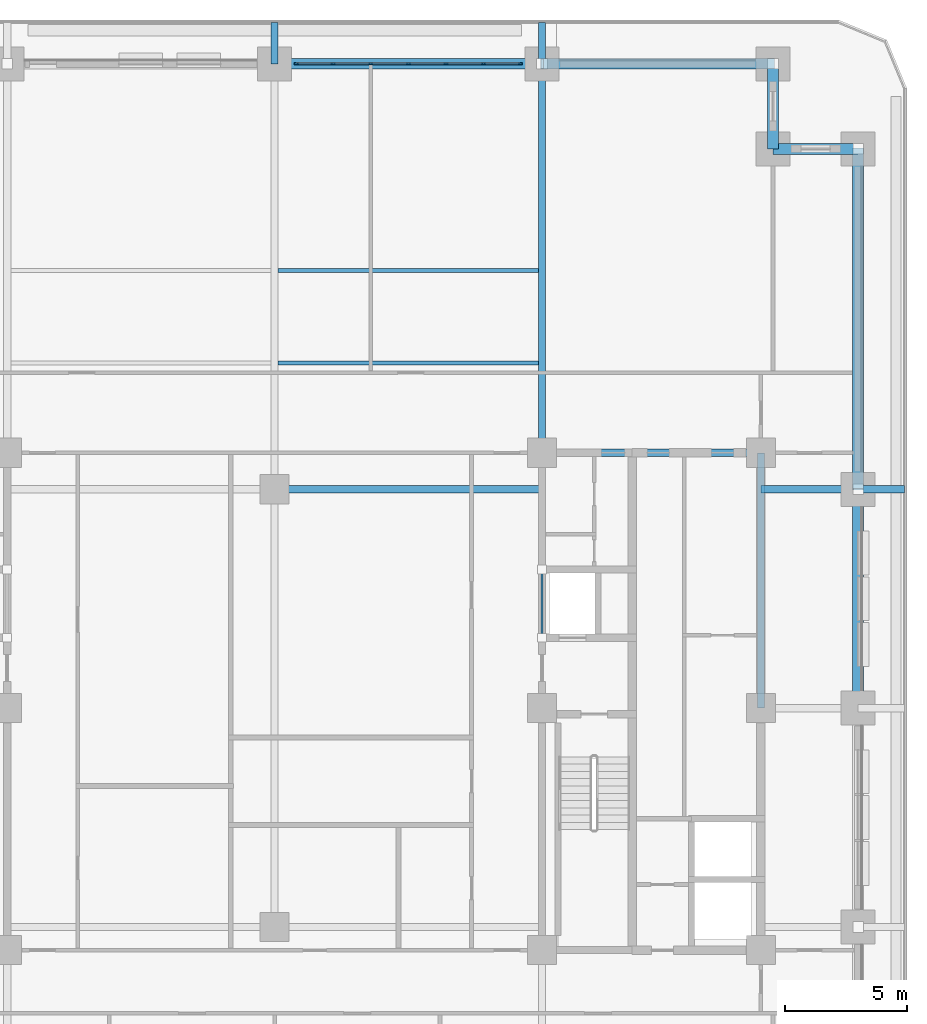
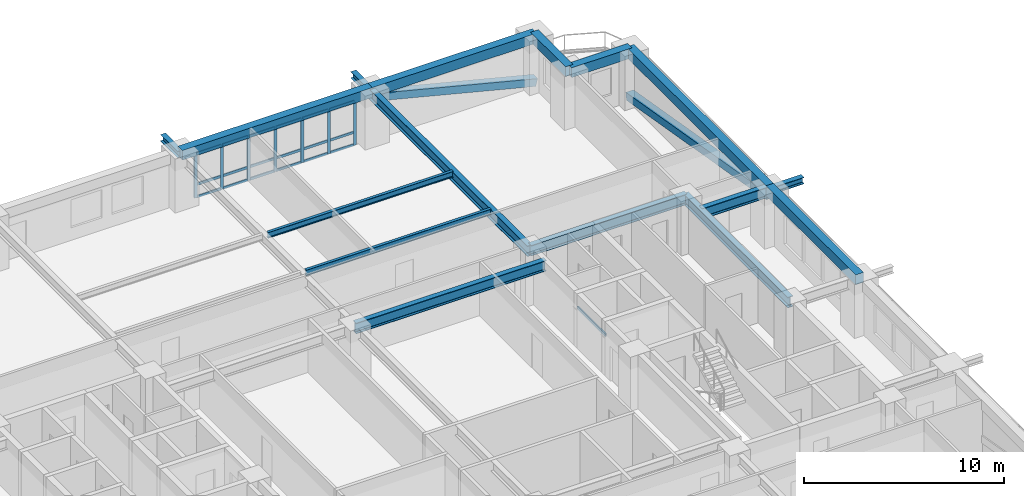
# One storey, part 6 of 20: 27 members, 17 beams, 1 element without a shape of its own.
"""IFC4 building model written with IfcOpenShell, lengths in metres."""

import ifcopenshell
import ifcopenshell.guid

model = None  # the IFC model being written
_history = None  # IfcOwnerHistory: only IFC2X3 demands one
_inside = {}  # id of a spatial element -> (the spatial element, [elements in it])
_under = {}  # id of a project, library or spatial element -> (it, [spatial elements below it])
_declared = {}  # id of a project -> (the project, [libraries it declares])
_typed = {}  # id of a type object -> (the type object, [elements of that type])
_made_of = {}  # id of a material, layer set ... -> (it, [elements and type objects made of it])


def new_model(schema):
    """Start an empty IFC model of exactly this schema.

    Asked for "IFC4X3", IfcOpenShell would pick the latest addendum, in which some entities
    have other attributes; the version numbers below select the first issue.
    IFC2X3 requires an IfcOwnerHistory on every rooted entity: one is made here for all.
    """
    global model, _history
    if schema == "IFC4X3":
        model = ifcopenshell.file(schema_version=(4, 3, 0, 0))
    else:
        model = ifcopenshell.file(schema=schema)
    _inside.clear()
    _under.clear()
    _declared.clear()
    _typed.clear()
    _made_of.clear()
    _history = None
    if model.schema == "IFC2X3":
        org = make("IfcOrganization", Name="unknown")
        user = make(
            "IfcPersonAndOrganization",
            ThePerson=make("IfcPerson", FamilyName="unknown"),
            TheOrganization=org,
        )
        app = make(
            "IfcApplication",
            ApplicationDeveloper=org,
            Version="unknown",
            ApplicationFullName="unknown",
            ApplicationIdentifier="unknown",
        )
        _history = make(
            "IfcOwnerHistory",
            OwningUser=user,
            OwningApplication=app,
            ChangeAction="ADDED",
            CreationDate=0,
        )
    return model


def make(cls, **values):
    """One entity of the class cls with the attributes given. An attribute that is None is left unset."""
    return model.create_entity(
        cls, **{name: value for name, value in values.items() if value is not None}
    )


def rooted(cls, **values):
    """An entity with a GlobalId (a new one), such as an element, a storey or a relation."""
    return make(cls, GlobalId=ifcopenshell.guid.new(), OwnerHistory=_history, **values)


def si_unit(unit_type, name, prefix=None):
    """IfcSIUnit, for example si_unit("LENGTHUNIT", "METRE", prefix="MILLI")."""
    return make("IfcSIUnit", UnitType=unit_type, Prefix=prefix, Name=name)


def assignment(units):
    """IfcUnitAssignment: the units of a project."""
    return None if units is None else make("IfcUnitAssignment", Units=units)


def point(xyz):
    """IfcCartesianPoint."""
    return None if xyz is None else make("IfcCartesianPoint", Coordinates=xyz)


def direction(xyz):
    """IfcDirection."""
    return None if xyz is None else make("IfcDirection", DirectionRatios=xyz)


def frame(location, z_axis=None, x_axis=None):
    """IfcAxis2Placement3D, a coordinate frame: its origin and axes. An axis left out is left unset."""
    return make(
        "IfcAxis2Placement3D",
        Location=point(location),
        Axis=direction(z_axis),
        RefDirection=direction(x_axis),
    )


def frame_2d(location, x_axis=None):
    """IfcAxis2Placement2D, a coordinate frame in the plane: its origin and x axis."""
    return make(
        "IfcAxis2Placement2D", Location=point(location), RefDirection=direction(x_axis)
    )


def origin():
    """The frame at (0, 0, 0) with its axes left unset."""
    return frame((0.0, 0.0, 0.0))


def origin_2d():
    """The frame at (0, 0) in the plane with its x axis left unset."""
    return frame_2d((0.0, 0.0))


def place(relative_to, where):
    """IfcLocalPlacement: puts the frame where relative to a parent placement (None: the world)."""
    return make(
        "IfcLocalPlacement", PlacementRelTo=relative_to, RelativePlacement=where
    )


def context(
    kind, dimensions, precision=None, world=None, true_north=None, identifier=None
):
    """IfcGeometricRepresentationContext, for example the 3D "Model" context."""
    return make(
        "IfcGeometricRepresentationContext",
        ContextIdentifier=identifier,
        ContextType=kind,
        CoordinateSpaceDimension=dimensions,
        Precision=precision,
        WorldCoordinateSystem=world,
        TrueNorth=true_north,
    )


def subcontext(parent, identifier, kind, view, scale=None):
    """IfcGeometricRepresentationSubContext, for example "Body" below "Model"."""
    return make(
        "IfcGeometricRepresentationSubContext",
        ContextIdentifier=identifier,
        ContextType=kind,
        ParentContext=parent,
        TargetScale=scale,
        TargetView=view,
    )


def project(units=None, contexts=None):
    """IfcProject with its units and contexts."""
    return rooted(
        "IfcProject",
        Name="project",
        RepresentationContexts=contexts,
        UnitsInContext=assignment(units),
    )


def spatial(cls, under=None, at=None, **own):
    """A site, building, storey or space (cls), placed at a placement, below another one or the project."""
    s = rooted(cls, ObjectPlacement=at, **own)
    if under is not None:
        _under.setdefault(under.id(), (under, []))[1].append(s)
    return s


def profile(cls, at=None, kind="AREA", **sizes):
    """A parametric profile (cls). Its sizes go by their IFC names, for example OverallWidth=200.0."""
    return make(cls, ProfileType=kind, Position=at, **sizes)


def rectangle(**sizes):
    """IfcRectangleProfileDef."""
    return profile("IfcRectangleProfileDef", **sizes)


def hollow_rectangle(**sizes):
    """IfcRectangleHollowProfileDef."""
    return profile("IfcRectangleHollowProfileDef", **sizes)


def i_section(**sizes):
    """IfcIShapeProfileDef."""
    return profile("IfcIShapeProfileDef", **sizes)


def extrude(swept, where, along, depth):
    """IfcExtrudedAreaSolid: the profile swept, set in the frame where, extruded along a direction by depth."""
    return make(
        "IfcExtrudedAreaSolid",
        SweptArea=swept,
        Position=where,
        ExtrudedDirection=direction(along),
        Depth=depth,
    )


def shape(context_of_items, identifier, shape_type, items):
    """IfcShapeRepresentation: the items that make up one representation, for example the "Body"."""
    return make(
        "IfcShapeRepresentation",
        ContextOfItems=context_of_items,
        RepresentationIdentifier=identifier,
        RepresentationType=shape_type,
        Items=items,
    )


def material(Name=None, Category=None):
    """IfcMaterial."""
    return make("IfcMaterial", Name=Name, Category=Category)


def material_profile(
    of_material, cross_section, Name=None, Category=None, Priority=None
):
    """IfcMaterialProfile: a cross section and its material."""
    return make(
        "IfcMaterialProfile",
        Name=Name,
        Material=of_material,
        Profile=cross_section,
        Priority=Priority,
        Category=Category,
    )


def profile_set(profiles, Name=None, composite=None):
    """IfcMaterialProfileSet."""
    return make(
        "IfcMaterialProfileSet",
        Name=Name,
        MaterialProfiles=profiles,
        CompositeProfile=composite,
    )


def made_of(thing, what):
    """Note that an element or type object is made of a material, layer set ...; save() writes the relation."""
    if what is not None:
        _made_of.setdefault(what.id(), (what, []))[1].append(thing)
    return thing


def type_object(cls, material=None, **own):
    """A type object (cls), such as IfcWallType, which elements share."""
    return made_of(rooted(cls, **own), material)


def element(
    cls,
    number,
    at=None,
    inside=None,
    cuts=None,
    type_object=None,
    material=None,
    context=None,
    identifier="Body",
    shape_type=None,
    held_by="IfcProductDefinitionShape",
    body=None,
    shapes=None,
    **own,
):
    """One element of the class cls, such as IfcWall. Its Tag is "e" and its number.

    at: its placement. inside: the storey or other place that contains it. cuts: it is an
    opening in that element (IfcRelVoidsElement). A single representation is given by context,
    identifier, shape_type and body (its items); several are given by shapes. held_by: the class
    of the entity that holds the representations. save() writes the other relations.
    """
    e = rooted(cls, Tag="e%d" % number, ObjectPlacement=at, **own)
    if body is not None:
        shapes = [shape(context, identifier, shape_type, body)]
    if shapes is not None:
        e.Representation = make(held_by, Representations=shapes)
    if inside is not None:
        _inside.setdefault(inside.id(), (inside, []))[1].append(e)
    if cuts is not None:
        rooted(
            "IfcRelVoidsElement", RelatingBuildingElement=cuts, RelatedOpeningElement=e
        )
    if type_object is not None:
        _typed.setdefault(type_object.id(), (type_object, []))[1].append(e)
    return made_of(e, material)


def aggregate(whole, parts):
    """IfcRelAggregates: a whole, such as a stair, and the parts it consists of."""
    return rooted("IfcRelAggregates", RelatingObject=whole, RelatedObjects=parts)


def save(model, path):
    """Write the relations noted so far, then the file.

    IfcRelAggregates (storeys below a building ...), IfcRelContainedInSpatialStructure (elements
    in a storey), IfcRelDefinesByType, IfcRelAssociatesMaterial and IfcRelDeclares: one each for
    every whole, place, type object, material and project.
    """
    for whole, parts in _under.values():
        aggregate(whole, parts)
    for where, things in _inside.values():
        rooted(
            "IfcRelContainedInSpatialStructure",
            RelatedElements=things,
            RelatingStructure=where,
        )
    for kind, things in _typed.values():
        rooted("IfcRelDefinesByType", RelatedObjects=things, RelatingType=kind)
    for what, things in _made_of.values():
        rooted("IfcRelAssociatesMaterial", RelatedObjects=things, RelatingMaterial=what)
    for by, libraries in _declared.values():
        rooted("IfcRelDeclares", RelatingContext=by, RelatedDefinitions=libraries)
    model.write(path)


model = new_model("IFC4")

# Units and contexts
model_context = context("Model", 3, precision=1e-05, world=origin(), true_north=direction((0.0, 1.0)))
body_context = subcontext(model_context, "Body", "Model", "MODEL_VIEW")
ifc_project = project(units=[si_unit("LENGTHUNIT", "METRE"), si_unit("AREAUNIT", "SQUARE_METRE"), si_unit("VOLUMEUNIT", "CUBIC_METRE"), si_unit("PLANEANGLEUNIT", "RADIAN"), si_unit("MASSUNIT", "GRAM", prefix="KILO")], contexts=[model_context])

# Site, building, storey
site_placement = place(None, origin())
site = spatial("IfcSite", under=ifc_project, at=site_placement, CompositionType="ELEMENT")
building_placement = place(site_placement, origin())
building = spatial("IfcBuilding", under=site, at=building_placement, Name="Zulmaris Gate Convention Tower", CompositionType="ELEMENT")
storey_placement = place(building_placement, frame((0.0, 0.0, 71.469970703125)))
storey = spatial("IfcBuildingStorey", under=building, at=storey_placement, Name="L17", CompositionType="ELEMENT", Elevation=71.469970703125)

# Beams
ifc_material_1 = material(Name="Steel S355", Category="steel")
ifc_material_profile_1 = material_profile(ifc_material_1, i_section(OverallWidth=0.300048828125, OverallDepth=0.39990234375, WebThickness=0.013427734375, FlangeThickness=0.02392578125, FilletRadius=0.027099609375, at=origin_2d()), Name="HEB 400")
ifc_profile_set_1 = profile_set([ifc_material_profile_1], Name="Steel S355")
beam_type_1 = type_object("IfcBeamType", Name="BM-HEB400", PredefinedType="BEAM", material=ifc_profile_set_1)
for number, where, z_axis, x_axis, name in (
    (1, (0.0, 26.5, 2.97998046875), (0.0, 1.0, 0.0), (-1.0, 0.0, 0.0), "L17 Beam TBRK-L17-N-+0"),
    (2, (11.0, 26.5, 2.97998046875), (0.0, 1.0, 0.0), (-1.0, 0.0, 0.0), "L17 Beam TBRK-L17-N-+11"),
):
    element("IfcBeam", number, at=place(storey_placement, frame(where, z_axis=z_axis, x_axis=x_axis)), inside=storey, type_object=beam_type_1, Name=name, PredefinedType="BEAM", context=body_context, shape_type="SweptSolid", body=[
        extrude(i_section(OverallWidth=0.300048828125, OverallDepth=0.39990234375, WebThickness=0.013427734375, FlangeThickness=0.02392578125, FilletRadius=0.027099609375, at=origin_2d()), origin(), (0.0, 0.0, 1.0), 1.699951171875),
    ])
beam_1_placement = place(storey_placement, frame((24.0, 9.0, 2.97998046875), z_axis=(1.0, 0.0, 0.0), x_axis=(0.0, 1.0, 0.0)))
element("IfcBeam", 3, at=beam_1_placement, inside=storey, type_object=beam_type_1, Name="L17 Beam TBRK-L17-E-+9", PredefinedType="BEAM", context=body_context, shape_type="SweptSolid", body=[
    extrude(i_section(OverallWidth=0.300048828125, OverallDepth=0.39990234375, WebThickness=0.013427734375, FlangeThickness=0.02392578125, FilletRadius=0.027099609375, at=origin_2d()), origin(), (0.0, 0.0, 1.0), 1.89990234375),
])
ifc_material_profile_2 = material_profile(ifc_material_1, i_section(OverallWidth=0.300048828125, OverallDepth=0.64990234375, WebThickness=0.01611328125, FlangeThickness=0.031005859375, FilletRadius=0.027099609375, at=origin_2d()), Name="HEB 650")
ifc_profile_set_2 = profile_set([ifc_material_profile_2], Name="Steel S355")
beam_type_2 = type_object("IfcBeamType", Name="BM-HEB650", PredefinedType="BEAM", material=ifc_profile_set_2)
beam_2_placement = place(storey_placement, frame((0.0, 9.0, 2.992919921875), z_axis=(1.0, 0.0, 0.0), x_axis=(0.0, 1.0, 0.0)))
element("IfcBeam", 4, at=beam_2_placement, inside=storey, type_object=beam_type_2, Name="L17 Beam BM-L17-G04", PredefinedType="BEAM", context=body_context, shape_type="SweptSolid", body=[
    extrude(i_section(OverallWidth=0.300048828125, OverallDepth=0.64990234375, WebThickness=0.01611328125, FlangeThickness=0.031005859375, FilletRadius=0.027099609375, at=origin_2d()), origin(), (0.0, 0.0, 1.0), 11.0),
])
beam_3_placement = place(storey_placement, frame((11.0, 10.5, 2.91796875), z_axis=(0.0, 1.0, 0.0), x_axis=(-1.0, 0.0, 0.0)))
element("IfcBeam", 5, at=beam_3_placement, inside=storey, type_object=beam_type_2, Name="L17 Beam BM-L17-G11", PredefinedType="BEAM", context=body_context, shape_type="SweptSolid", body=[
    extrude(i_section(OverallWidth=0.300048828125, OverallDepth=0.64990234375, WebThickness=0.01611328125, FlangeThickness=0.031005859375, FilletRadius=0.027099609375, at=origin_2d()), origin(), (0.0, 0.0, 1.0), 16.0),
])
beam_4_placement = place(storey_placement, frame((20.0, 9.0, 2.992919921875), z_axis=(1.0, 0.0, 0.0), x_axis=(0.0, 1.0, 0.0)))
element("IfcBeam", 6, at=beam_4_placement, inside=storey, type_object=beam_type_2, Name="L17 Beam BM-L17-G21", PredefinedType="BEAM", context=body_context, shape_type="SweptSolid", body=[
    extrude(i_section(OverallWidth=0.300048828125, OverallDepth=0.64990234375, WebThickness=0.01611328125, FlangeThickness=0.031005859375, FilletRadius=0.027099609375, at=origin_2d()), origin(), (0.0, 0.0, 1.0), 4.0),
])
beam_5_placement = place(storey_placement, frame((11.0, 10.5, 2.992919921875), z_axis=(1.0, 0.0, 0.0), x_axis=(0.0, 1.0, 0.0)))
element("IfcBeam", 7, at=beam_5_placement, inside=storey, type_object=beam_type_2, Name="L17 Beam BM-L17-G25", PredefinedType="BEAM", context=body_context, shape_type="SweptSolid", body=[
    extrude(i_section(OverallWidth=0.300048828125, OverallDepth=0.64990234375, WebThickness=0.01611328125, FlangeThickness=0.031005859375, FilletRadius=0.027099609375, at=origin_2d()), origin(), (0.0, 0.0, 1.0), 9.0),
])
beam_6_placement = place(storey_placement, frame((20.0, 0.0, 2.992919921875), z_axis=(0.0, 1.0, 0.0), x_axis=(-1.0, 0.0, 0.0)))
element("IfcBeam", 8, at=beam_6_placement, inside=storey, type_object=beam_type_2, Name="L17 Beam BM-L17-G29", PredefinedType="BEAM", context=body_context, shape_type="SweptSolid", body=[
    extrude(i_section(OverallWidth=0.300048828125, OverallDepth=0.64990234375, WebThickness=0.01611328125, FlangeThickness=0.031005859375, FilletRadius=0.027099609375, at=origin_2d()), origin(), (0.0, 0.0, 1.0), 10.5),
])
ifc_material_2 = material(Name="Precast concrete C50/60", Category="concrete")
ifc_material_profile_3 = material_profile(ifc_material_2, rectangle(XDim=0.449951171875, YDim=0.60009765625, at=origin_2d()), Name="RC SPANDREL 450x600")
ifc_profile_set_3 = profile_set([ifc_material_profile_3], Name="Precast concrete C50/60")
beam_type_3 = type_object("IfcBeamType", Name="BM-SP450x600", PredefinedType="SPANDREL", material=ifc_profile_set_3)
beam_7_placement = place(storey_placement, frame((24.0, 0.0, 3.02001953125), z_axis=(0.0, 1.0, 0.0), x_axis=(-1.0, 0.0, 0.0)))
element("IfcBeam", 9, at=beam_7_placement, inside=storey, type_object=beam_type_3, Name="L17 Spandrel SP-L17-09", PredefinedType="SPANDREL", context=body_context, shape_type="SweptSolid", body=[
    extrude(rectangle(XDim=0.449951171875, YDim=0.60009765625, at=origin_2d()), origin(), (0.0, 0.0, 1.0), 9.0),
])
beam_8_placement = place(storey_placement, frame((24.0, 9.0, 3.02001953125), z_axis=(0.0, 1.0, 0.0), x_axis=(-1.0, 0.0, 0.0)))
element("IfcBeam", 10, at=beam_8_placement, inside=storey, type_object=beam_type_3, Name="L17 Spandrel SP-L17-10", PredefinedType="SPANDREL", context=body_context, shape_type="SweptSolid", body=[
    extrude(rectangle(XDim=0.449951171875, YDim=0.60009765625, at=origin_2d()), origin(), (0.0, 0.0, 1.0), 14.0),
])
for number, where, z_axis, x_axis, name in (
    (11, (24.0, 23.0, 3.02001953125), (-1.0, 0.0, 0.0), (0.0, -1.0, 0.0), "L17 Spandrel SP-L17-11"),
    (12, (20.5, 23.0, 3.02001953125), (0.0, 1.0, 0.0), (-1.0, 0.0, 0.0), "L17 Spandrel SP-L17-12"),
):
    element("IfcBeam", number, at=place(storey_placement, frame(where, z_axis=z_axis, x_axis=x_axis)), inside=storey, type_object=beam_type_3, Name=name, PredefinedType="SPANDREL", context=body_context, shape_type="SweptSolid", body=[
        extrude(rectangle(XDim=0.449951171875, YDim=0.60009765625, at=origin_2d()), origin(), (0.0, 0.0, 1.0), 3.5),
    ])
beam_9_placement = place(storey_placement, frame((20.5, 26.5, 3.02001953125), z_axis=(-1.0, 0.0, 0.0), x_axis=(0.0, -1.0, 0.0)))
element("IfcBeam", 13, at=beam_9_placement, inside=storey, type_object=beam_type_3, Name="L17 Spandrel SP-L17-13", PredefinedType="SPANDREL", context=body_context, shape_type="SweptSolid", body=[
    extrude(rectangle(XDim=0.449951171875, YDim=0.60009765625, at=origin_2d()), origin(), (0.0, 0.0, 1.0), 9.5),
])
beam_10_placement = place(storey_placement, frame((11.0, 26.5, 3.02001953125), z_axis=(-1.0, 0.0, 0.0), x_axis=(0.0, -1.0, 0.0)))
element("IfcBeam", 14, at=beam_10_placement, inside=storey, type_object=beam_type_3, Name="L17 Spandrel SP-L17-14", PredefinedType="SPANDREL", context=body_context, shape_type="SweptSolid", body=[
    extrude(rectangle(XDim=0.449951171875, YDim=0.60009765625, at=origin_2d()), origin(), (0.0, 0.0, 1.0), 11.0),
])

# Members
ifc_material_3 = material(Name="Steel S460", Category="steel")
ifc_material_profile_4 = material_profile(ifc_material_3, hollow_rectangle(XDim=0.449951171875, YDim=0.449951171875, WallThickness=0.02490234375, at=origin_2d()), Name="SHS 450x450x25")
ifc_profile_set_4 = profile_set([ifc_material_profile_4], Name="Steel S460")
member_type_1 = type_object("IfcMemberType", Name="BR-SHS450", PredefinedType="BRACE", material=ifc_profile_set_4)
member_1_placement = place(storey_placement, frame((24.0, 23.0, 0.300048828125), z_axis=(0.0, -0.985623399742, 0.168957136221), x_axis=(1.0, 0.0, 0.0)))
element("IfcMember", 15, at=member_1_placement, inside=storey, type_object=member_type_1, Name="L17 Perimeter Tube Diagonal NE-E", PredefinedType="BRACE", context=body_context, shape_type="SweptSolid", body=[
    extrude(hollow_rectangle(XDim=0.449951171875, YDim=0.449951171875, WallThickness=0.02490234375, at=origin_2d()), origin(), (0.0, 0.0, 1.0), 14.2041015625),
])
member_2_placement = place(storey_placement, frame((20.5, 26.5, 0.300048828125), z_axis=(-0.969541561087, 0.0, 0.244926848928), x_axis=(0.0, -1.0, 0.0)))
element("IfcMember", 16, at=member_2_placement, inside=storey, type_object=member_type_1, Name="L17 Perimeter Tube Diagonal NE-N", PredefinedType="BRACE", context=body_context, shape_type="SweptSolid", body=[
    extrude(hollow_rectangle(XDim=0.449951171875, YDim=0.449951171875, WallThickness=0.02490234375, at=origin_2d()), origin(), (0.0, 0.0, 1.0), 9.79833984375),
])

# Curtain wall, members
ifc_material_4 = material(Name="Anodised Aluminium", Category="aluminium")
curtain_wall_type = type_object("IfcCurtainWallType", Name="CW-05", PredefinedType="NOTDEFINED", material=ifc_material_4)
curtain_wall_placement = place(storey_placement, origin())
curtain_wall = element("IfcCurtainWall", 17, at=curtain_wall_placement, inside=storey, type_object=curtain_wall_type, Name="CW-05 CW05-L17-N-2_0", PredefinedType="NOTDEFINED")
ifc_material_profile_5 = material_profile(ifc_material_4, rectangle(XDim=0.074951171875, YDim=0.179931640625, at=origin_2d()), Name="ALU MULLION 75x180")
ifc_profile_set_5 = profile_set([ifc_material_profile_5], Name="Anodised Aluminium")
member_type_2 = type_object("IfcMemberType", Name="CW-05-MULL", PredefinedType="MULLION", material=ifc_profile_set_5)
member_3_placement = place(storey_placement, frame((10.1025390625, 26.5, 0.0), z_axis=(0.0, 0.0, 1.0), x_axis=(0.0, -1.0, 0.0)))
member_3 = element("IfcMember", 18, at=member_3_placement, type_object=member_type_2, Name="CW-05 mullion 1", PredefinedType="MULLION", context=body_context, shape_type="SweptSolid", body=[
    extrude(rectangle(XDim=0.074951171875, YDim=0.179931640625, at=origin_2d()), origin(), (0.0, 0.0, 1.0), 2.7119140625),
])
member_4_placement = place(storey_placement, frame((8.59326171875, 26.5, 0.0), z_axis=(0.0, 0.0, 1.0), x_axis=(0.0, -1.0, 0.0)))
member_4 = element("IfcMember", 19, at=member_4_placement, type_object=member_type_2, Name="CW-05 mullion 2", PredefinedType="MULLION", context=body_context, shape_type="SweptSolid", body=[
    extrude(rectangle(XDim=0.074951171875, YDim=0.179931640625, at=origin_2d()), origin(), (0.0, 0.0, 1.0), 2.7119140625),
])
member_5_placement = place(storey_placement, frame((7.046630859375, 26.5, 0.0), z_axis=(0.0, 0.0, 1.0), x_axis=(0.0, -1.0, 0.0)))
member_5 = element("IfcMember", 20, at=member_5_placement, type_object=member_type_2, Name="CW-05 mullion 3", PredefinedType="MULLION", context=body_context, shape_type="SweptSolid", body=[
    extrude(rectangle(XDim=0.074951171875, YDim=0.179931640625, at=origin_2d()), origin(), (0.0, 0.0, 1.0), 2.7119140625),
])
member_6_placement = place(storey_placement, frame((5.5, 26.5, 0.0), z_axis=(0.0, 0.0, 1.0), x_axis=(0.0, -1.0, 0.0)))
member_6 = element("IfcMember", 21, at=member_6_placement, type_object=member_type_2, Name="CW-05 mullion 4", PredefinedType="MULLION", context=body_context, shape_type="SweptSolid", body=[
    extrude(rectangle(XDim=0.074951171875, YDim=0.179931640625, at=origin_2d()), origin(), (0.0, 0.0, 1.0), 2.7119140625),
])
member_7_placement = place(storey_placement, frame((3.953369140625, 26.5, 0.0), z_axis=(0.0, 0.0, 1.0), x_axis=(0.0, -1.0, 0.0)))
member_7 = element("IfcMember", 22, at=member_7_placement, type_object=member_type_2, Name="CW-05 mullion 5", PredefinedType="MULLION", context=body_context, shape_type="SweptSolid", body=[
    extrude(rectangle(XDim=0.074951171875, YDim=0.179931640625, at=origin_2d()), origin(), (0.0, 0.0, 1.0), 2.7119140625),
])
member_8_placement = place(storey_placement, frame((2.40673828125, 26.5, 0.0), z_axis=(0.0, 0.0, 1.0), x_axis=(0.0, -1.0, 0.0)))
member_8 = element("IfcMember", 23, at=member_8_placement, type_object=member_type_2, Name="CW-05 mullion 6", PredefinedType="MULLION", context=body_context, shape_type="SweptSolid", body=[
    extrude(rectangle(XDim=0.074951171875, YDim=0.179931640625, at=origin_2d()), origin(), (0.0, 0.0, 1.0), 2.7119140625),
])
member_9_placement = place(storey_placement, frame((0.8974609375, 26.5, 0.0), z_axis=(0.0, 0.0, 1.0), x_axis=(0.0, -1.0, 0.0)))
member_9 = element("IfcMember", 24, at=member_9_placement, type_object=member_type_2, Name="CW-05 mullion 7", PredefinedType="MULLION", context=body_context, shape_type="SweptSolid", body=[
    extrude(rectangle(XDim=0.074951171875, YDim=0.179931640625, at=origin_2d()), origin(), (0.0, 0.0, 1.0), 2.7119140625),
])
ifc_material_profile_6 = material_profile(ifc_material_4, rectangle(XDim=0.074951171875, YDim=0.14990234375, at=origin_2d()), Name="ALU TRANSOM 75x150")
ifc_profile_set_6 = profile_set([ifc_material_profile_6], Name="Anodised Aluminium")
member_type_3 = type_object("IfcMemberType", Name="CW-05-TRAN", PredefinedType="USERDEFINED", material=ifc_profile_set_6)
member_10_placement = place(storey_placement, frame((10.06494140625, 26.5, 0.03759765625), z_axis=(-1.0, 0.0, 0.0), x_axis=(0.0, -1.0, 0.0)))
member_10 = element("IfcMember", 25, at=member_10_placement, type_object=member_type_3, Name="CW-05 transom 1.1", ObjectType="TRANSOM", PredefinedType="USERDEFINED", context=body_context, shape_type="SweptSolid", body=[
    extrude(rectangle(XDim=0.074951171875, YDim=0.14990234375, at=origin_2d()), origin(), (0.0, 0.0, 1.0), 1.43408203125),
])
member_11_placement = place(storey_placement, frame((10.06494140625, 26.5, 0.800048828125), z_axis=(-1.0, 0.0, 0.0), x_axis=(0.0, -1.0, 0.0)))
member_11 = element("IfcMember", 26, at=member_11_placement, type_object=member_type_3, Name="CW-05 transom 1.2", ObjectType="TRANSOM", PredefinedType="USERDEFINED", context=body_context, shape_type="SweptSolid", body=[
    extrude(rectangle(XDim=0.074951171875, YDim=0.14990234375, at=origin_2d()), origin(), (0.0, 0.0, 1.0), 1.43408203125),
])
member_12_placement = place(storey_placement, frame((10.06494140625, 26.5, 2.674560546875), z_axis=(-1.0, 0.0, 0.0), x_axis=(0.0, -1.0, 0.0)))
member_12 = element("IfcMember", 27, at=member_12_placement, type_object=member_type_3, Name="CW-05 transom 1.3", ObjectType="TRANSOM", PredefinedType="USERDEFINED", context=body_context, shape_type="SweptSolid", body=[
    extrude(rectangle(XDim=0.074951171875, YDim=0.14990234375, at=origin_2d()), origin(), (0.0, 0.0, 1.0), 1.43408203125),
])
member_13_placement = place(storey_placement, frame((8.555908203125, 26.5, 0.03759765625), z_axis=(-1.0, 0.0, 0.0), x_axis=(0.0, -1.0, 0.0)))
member_13 = element("IfcMember", 28, at=member_13_placement, type_object=member_type_3, Name="CW-05 transom 2.1", ObjectType="TRANSOM", PredefinedType="USERDEFINED", context=body_context, shape_type="SweptSolid", body=[
    extrude(rectangle(XDim=0.074951171875, YDim=0.14990234375, at=origin_2d()), origin(), (0.0, 0.0, 1.0), 1.4716796875),
])
member_14_placement = place(storey_placement, frame((8.555908203125, 26.5, 0.800048828125), z_axis=(-1.0, 0.0, 0.0), x_axis=(0.0, -1.0, 0.0)))
member_14 = element("IfcMember", 29, at=member_14_placement, type_object=member_type_3, Name="CW-05 transom 2.2", ObjectType="TRANSOM", PredefinedType="USERDEFINED", context=body_context, shape_type="SweptSolid", body=[
    extrude(rectangle(XDim=0.074951171875, YDim=0.14990234375, at=origin_2d()), origin(), (0.0, 0.0, 1.0), 1.4716796875),
])
member_15_placement = place(storey_placement, frame((8.555908203125, 26.5, 2.674560546875), z_axis=(-1.0, 0.0, 0.0), x_axis=(0.0, -1.0, 0.0)))
member_15 = element("IfcMember", 30, at=member_15_placement, type_object=member_type_3, Name="CW-05 transom 2.3", ObjectType="TRANSOM", PredefinedType="USERDEFINED", context=body_context, shape_type="SweptSolid", body=[
    extrude(rectangle(XDim=0.074951171875, YDim=0.14990234375, at=origin_2d()), origin(), (0.0, 0.0, 1.0), 1.4716796875),
])
member_16_placement = place(storey_placement, frame((7.00927734375, 26.5, 0.03759765625), z_axis=(-1.0, 0.0, 0.0), x_axis=(0.0, -1.0, 0.0)))
member_16 = element("IfcMember", 31, at=member_16_placement, type_object=member_type_3, Name="CW-05 transom 3.1", ObjectType="TRANSOM", PredefinedType="USERDEFINED", context=body_context, shape_type="SweptSolid", body=[
    extrude(rectangle(XDim=0.074951171875, YDim=0.14990234375, at=origin_2d()), origin(), (0.0, 0.0, 1.0), 1.4716796875),
])
member_17_placement = place(storey_placement, frame((7.00927734375, 26.5, 0.800048828125), z_axis=(-1.0, 0.0, 0.0), x_axis=(0.0, -1.0, 0.0)))
member_17 = element("IfcMember", 32, at=member_17_placement, type_object=member_type_3, Name="CW-05 transom 3.2", ObjectType="TRANSOM", PredefinedType="USERDEFINED", context=body_context, shape_type="SweptSolid", body=[
    extrude(rectangle(XDim=0.074951171875, YDim=0.14990234375, at=origin_2d()), origin(), (0.0, 0.0, 1.0), 1.4716796875),
])
member_18_placement = place(storey_placement, frame((7.00927734375, 26.5, 2.674560546875), z_axis=(-1.0, 0.0, 0.0), x_axis=(0.0, -1.0, 0.0)))
member_18 = element("IfcMember", 33, at=member_18_placement, type_object=member_type_3, Name="CW-05 transom 3.3", ObjectType="TRANSOM", PredefinedType="USERDEFINED", context=body_context, shape_type="SweptSolid", body=[
    extrude(rectangle(XDim=0.074951171875, YDim=0.14990234375, at=origin_2d()), origin(), (0.0, 0.0, 1.0), 1.4716796875),
])
member_19_placement = place(storey_placement, frame((5.46240234375, 26.5, 0.03759765625), z_axis=(-1.0, 0.0, 0.0), x_axis=(0.0, -1.0, 0.0)))
member_19 = element("IfcMember", 34, at=member_19_placement, type_object=member_type_3, Name="CW-05 transom 4.1", ObjectType="TRANSOM", PredefinedType="USERDEFINED", context=body_context, shape_type="SweptSolid", body=[
    extrude(rectangle(XDim=0.074951171875, YDim=0.14990234375, at=origin_2d()), origin(), (0.0, 0.0, 1.0), 1.4716796875),
])
member_20_placement = place(storey_placement, frame((5.46240234375, 26.5, 0.800048828125), z_axis=(-1.0, 0.0, 0.0), x_axis=(0.0, -1.0, 0.0)))
member_20 = element("IfcMember", 35, at=member_20_placement, type_object=member_type_3, Name="CW-05 transom 4.2", ObjectType="TRANSOM", PredefinedType="USERDEFINED", context=body_context, shape_type="SweptSolid", body=[
    extrude(rectangle(XDim=0.074951171875, YDim=0.14990234375, at=origin_2d()), origin(), (0.0, 0.0, 1.0), 1.4716796875),
])
member_21_placement = place(storey_placement, frame((5.46240234375, 26.5, 2.674560546875), z_axis=(-1.0, 0.0, 0.0), x_axis=(0.0, -1.0, 0.0)))
member_21 = element("IfcMember", 36, at=member_21_placement, type_object=member_type_3, Name="CW-05 transom 4.3", ObjectType="TRANSOM", PredefinedType="USERDEFINED", context=body_context, shape_type="SweptSolid", body=[
    extrude(rectangle(XDim=0.074951171875, YDim=0.14990234375, at=origin_2d()), origin(), (0.0, 0.0, 1.0), 1.4716796875),
])
member_22_placement = place(storey_placement, frame((3.915771484375, 26.5, 0.03759765625), z_axis=(-1.0, 0.0, 0.0), x_axis=(0.0, -1.0, 0.0)))
member_22 = element("IfcMember", 37, at=member_22_placement, type_object=member_type_3, Name="CW-05 transom 5.1", ObjectType="TRANSOM", PredefinedType="USERDEFINED", context=body_context, shape_type="SweptSolid", body=[
    extrude(rectangle(XDim=0.074951171875, YDim=0.14990234375, at=origin_2d()), origin(), (0.0, 0.0, 1.0), 1.4716796875),
])
member_23_placement = place(storey_placement, frame((3.915771484375, 26.5, 0.800048828125), z_axis=(-1.0, 0.0, 0.0), x_axis=(0.0, -1.0, 0.0)))
member_23 = element("IfcMember", 38, at=member_23_placement, type_object=member_type_3, Name="CW-05 transom 5.2", ObjectType="TRANSOM", PredefinedType="USERDEFINED", context=body_context, shape_type="SweptSolid", body=[
    extrude(rectangle(XDim=0.074951171875, YDim=0.14990234375, at=origin_2d()), origin(), (0.0, 0.0, 1.0), 1.4716796875),
])
member_24_placement = place(storey_placement, frame((3.915771484375, 26.5, 2.674560546875), z_axis=(-1.0, 0.0, 0.0), x_axis=(0.0, -1.0, 0.0)))
member_24 = element("IfcMember", 39, at=member_24_placement, type_object=member_type_3, Name="CW-05 transom 5.3", ObjectType="TRANSOM", PredefinedType="USERDEFINED", context=body_context, shape_type="SweptSolid", body=[
    extrude(rectangle(XDim=0.074951171875, YDim=0.14990234375, at=origin_2d()), origin(), (0.0, 0.0, 1.0), 1.4716796875),
])
member_25_placement = place(storey_placement, frame((2.369140625, 26.5, 0.03759765625), z_axis=(-1.0, 0.0, 0.0), x_axis=(0.0, -1.0, 0.0)))
member_25 = element("IfcMember", 40, at=member_25_placement, type_object=member_type_3, Name="CW-05 transom 6.1", ObjectType="TRANSOM", PredefinedType="USERDEFINED", context=body_context, shape_type="SweptSolid", body=[
    extrude(rectangle(XDim=0.074951171875, YDim=0.14990234375, at=origin_2d()), origin(), (0.0, 0.0, 1.0), 1.43408203125),
])
member_26_placement = place(storey_placement, frame((2.369140625, 26.5, 0.800048828125), z_axis=(-1.0, 0.0, 0.0), x_axis=(0.0, -1.0, 0.0)))
member_26 = element("IfcMember", 41, at=member_26_placement, type_object=member_type_3, Name="CW-05 transom 6.2", ObjectType="TRANSOM", PredefinedType="USERDEFINED", context=body_context, shape_type="SweptSolid", body=[
    extrude(rectangle(XDim=0.074951171875, YDim=0.14990234375, at=origin_2d()), origin(), (0.0, 0.0, 1.0), 1.43408203125),
])
member_27_placement = place(storey_placement, frame((2.369140625, 26.5, 2.674560546875), z_axis=(-1.0, 0.0, 0.0), x_axis=(0.0, -1.0, 0.0)))
member_27 = element("IfcMember", 42, at=member_27_placement, type_object=member_type_3, Name="CW-05 transom 6.3", ObjectType="TRANSOM", PredefinedType="USERDEFINED", context=body_context, shape_type="SweptSolid", body=[
    extrude(rectangle(XDim=0.074951171875, YDim=0.14990234375, at=origin_2d()), origin(), (0.0, 0.0, 1.0), 1.43408203125),
])
aggregate(curtain_wall, [member_3, member_4, member_5, member_6, member_7, member_8, member_9, member_10, member_11, member_12, member_13, member_14, member_15, member_16, member_17, member_18, member_19, member_20, member_21, member_22, member_23, member_24, member_25, member_26, member_27])

# Beams
ifc_material_profile_7 = material_profile(ifc_material_1, i_section(OverallWidth=0.169921875, OverallDepth=0.360107421875, WebThickness=0.008056640625, FlangeThickness=0.0126953125, FilletRadius=0.01806640625, at=origin_2d()), Name="IPE 360")
ifc_profile_set_7 = profile_set([ifc_material_profile_7], Name="Steel S355")
beam_type_4 = type_object("IfcBeamType", Name="JT-IPE360", PredefinedType="JOIST", material=ifc_profile_set_7)
for number, where, z_axis, x_axis, name in (
    (43, (0.14990234375, 14.199951171875, 3.137939453125), (1.0, 0.0, 0.0), (0.0, 1.0, 0.0), "L17 Joist JT-L17-CE-+14.2"),
    (44, (0.14990234375, 18.0, 3.137939453125), (1.0, 0.0, 0.0), (0.0, 1.0, 0.0), "L17 Joist JT-L17-CE-+18.0"),
):
    element("IfcBeam", number, at=place(storey_placement, frame(where, z_axis=z_axis, x_axis=x_axis)), inside=storey, type_object=beam_type_4, Name=name, PredefinedType="JOIST", context=body_context, shape_type="SweptSolid", body=[
        extrude(i_section(OverallWidth=0.169921875, OverallDepth=0.360107421875, WebThickness=0.008056640625, FlangeThickness=0.0126953125, FilletRadius=0.01806640625, at=origin_2d()), origin(), (0.0, 0.0, 1.0), 10.7001953125),
    ])
ifc_material_profile_8 = material_profile(ifc_material_1, hollow_rectangle(XDim=0.080078125, YDim=0.179931640625, WallThickness=0.00634765625, at=origin_2d()), Name="RHS 180x80x6.3")
ifc_profile_set_8 = profile_set([ifc_material_profile_8], Name="Steel S355")
beam_type_5 = type_object("IfcBeamType", Name="LN-RHS180", PredefinedType="LINTEL", material=ifc_profile_set_8)
beam_11_placement = place(storey_placement, frame((11.0, 2.89990234375, 2.35009765625), z_axis=(0.0, 1.0, 0.0), x_axis=(-1.0, 0.0, 0.0)))
element("IfcBeam", 45, at=beam_11_placement, inside=storey, type_object=beam_type_5, Name="L17 Core Opening Steel Lintel 2", PredefinedType="LINTEL", context=body_context, shape_type="SweptSolid", body=[
    extrude(hollow_rectangle(XDim=0.080078125, YDim=0.179931640625, WallThickness=0.00634765625, at=origin_2d()), origin(), (0.0, 0.0, 1.0), 2.800048828125),
])

save(model, "model.ifc")
